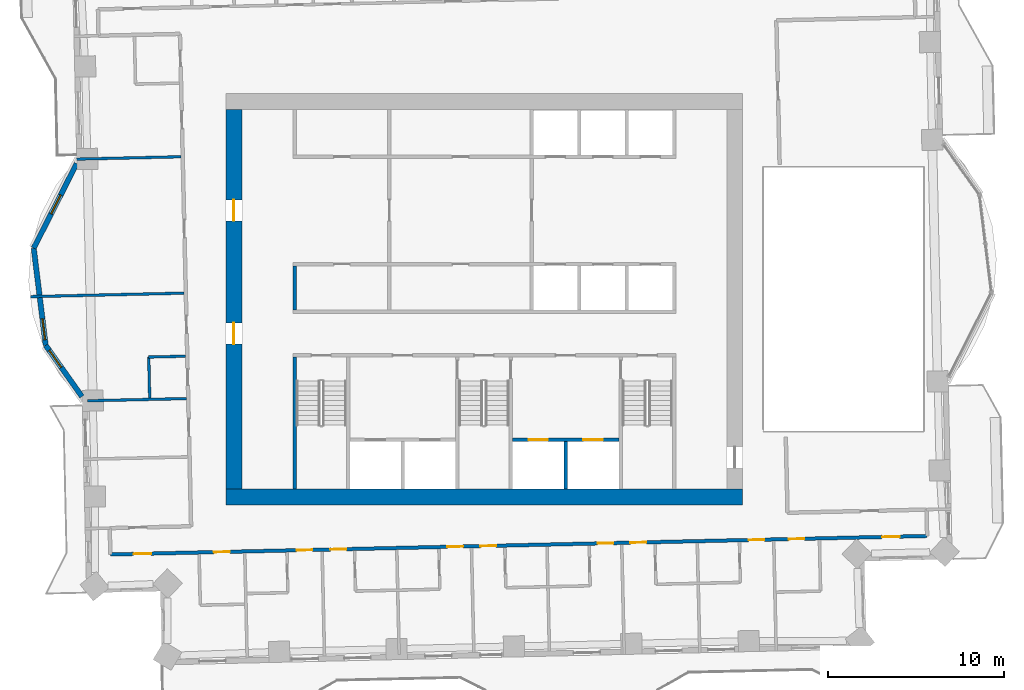
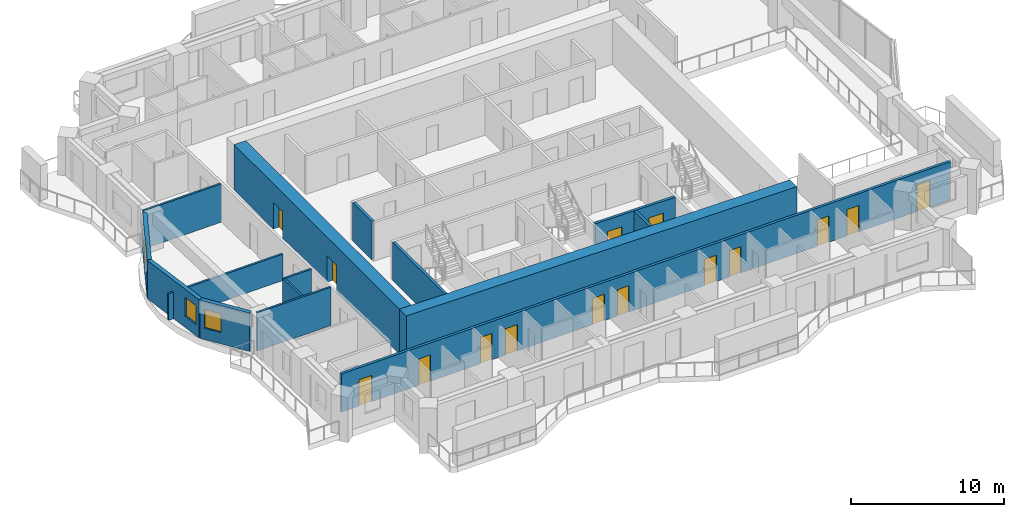
# One storey, part 7 of 16: 15 doors, 15 walls, 3 windows, 18 openings.
"""IFC4 building model written with IfcOpenShell, lengths in metres."""

from ifc_helpers import new_model, si_unit, direction, frame, frame_2d, origin, place, context, subcontext, project, spatial, rectangle, extrude, material, layer, layer_set, type_object, element, fill, save


model = new_model("IFC4")

# Units and contexts
model_context = context("Model", 3, precision=1e-05, world=origin(), true_north=direction((0.0, 1.0)))
body_context = subcontext(model_context, "Body", "Model", "MODEL_VIEW")
ifc_project = project(units=[si_unit("LENGTHUNIT", "METRE"), si_unit("AREAUNIT", "SQUARE_METRE"), si_unit("VOLUMEUNIT", "CUBIC_METRE"), si_unit("PLANEANGLEUNIT", "RADIAN"), si_unit("MASSUNIT", "GRAM", prefix="KILO")], contexts=[model_context])

# Site, building, storey
site_placement = place(None, origin())
site = spatial("IfcSite", under=ifc_project, at=site_placement, CompositionType="ELEMENT")
building_placement = place(site_placement, origin())
building = spatial("IfcBuilding", under=site, at=building_placement, Name="Mangrove Gate Tower", CompositionType="ELEMENT")
storey_placement = place(building_placement, frame((0.0, 0.0, 175.300048828125)))
storey = spatial("IfcBuildingStorey", under=building, at=storey_placement, Name="L44", CompositionType="ELEMENT", Elevation=175.300048828125)

# Wall
ifc_material_1 = material(Name="Concrete C32/40", Category="concrete")
ifc_layer_1 = layer(ifc_material_1, 0.199951171875)
ifc_layer_set_1 = layer_set([ifc_layer_1], Name="Core room wall 200 C32/40")
wall_type_1 = type_object("IfcWallType", Name="Core room wall 200 C32/40", PredefinedType="STANDARD", material=ifc_layer_set_1)
wall_1_placement = place(storey_placement, frame((-10.800048828125, -0.60009765625, 0.0), z_axis=(0.0, 0.0, 1.0), x_axis=(0.0, 1.0, 0.0)))
element("IfcWall", 1, at=wall_1_placement, inside=storey, type_object=wall_type_1, Name="WALL-L44-CORE-19", PredefinedType="STANDARD", context=body_context, shape_type="SweptSolid", body=[
    extrude(rectangle(XDim=2.5, YDim=0.199951171875, at=frame_2d((1.25, 0.0))), origin(), (0.0, 0.0, 1.0), 3.050048828125),
])

# Wall, openings, doors
ifc_material_2 = material(Name="Concrete C60/75", Category="concrete")
ifc_layer_2 = layer(ifc_material_2, 0.199951171875)
ifc_layer_set_2 = layer_set([ifc_layer_2], Name="Core shaft wall 200 C60/75")
wall_type_2 = type_object("IfcWallType", Name="Core shaft wall 200 C60/75", PredefinedType="SHEAR", material=ifc_layer_set_2)
wall_2_placement = place(storey_placement, frame((1.60009765625, -8.0, 0.0), z_axis=(0.0, 0.0, 1.0), x_axis=(1.0, 0.0, 0.0)))
wall_2 = element("IfcWall", 2, at=wall_2_placement, inside=storey, type_object=wall_type_2, Name="WALL-L44-CORE-17", PredefinedType="SHEAR", context=body_context, shape_type="SweptSolid", body=[
    extrude(rectangle(XDim=6.0498046875, YDim=0.199951171875, at=frame_2d((3.02490234375, 0.0))), origin(), (0.0, 0.0, 1.0), 3.050048828125),
])
opening_1_placement = place(wall_2_placement, frame((0.91259765625, 0.0, 0.0)))
opening_1 = element("IfcOpeningElement", 3, at=opening_1_placement, cuts=wall_2, Name="Opening LD", PredefinedType="OPENING", context=body_context, shape_type="SweptSolid", body=[
    extrude(rectangle(XDim=1.10009765625, YDim=2.10009765625, at=frame_2d((0.550048828125, 1.050048828125))), frame((0.0, 0.10986328125, 0.0), z_axis=(0.0, -1.0, 0.0), x_axis=(1.0, 0.0, 0.0)), (0.0, 0.0, 1.0), 0.219970703125),
])
opening_2_placement = place(wall_2_placement, frame((4.03759765625, 0.0, 0.0)))
opening_2 = element("IfcOpeningElement", 4, at=opening_2_placement, cuts=wall_2, Name="Opening LD", PredefinedType="OPENING", context=body_context, shape_type="SweptSolid", body=[
    extrude(rectangle(XDim=1.10009765625, YDim=2.10009765625, at=frame_2d((0.550048828125, 1.050048828125))), frame((0.0, 0.10986328125, 0.0), z_axis=(0.0, -1.0, 0.0), x_axis=(1.0, 0.0, 0.0)), (0.0, 0.0, 1.0), 0.219970703125),
])
ifc_material_3 = material(Name="Stainless steel 316", Category="steel")
door_type_1 = type_object("IfcDoorType", Name="Lift landing door 1100x2100", OperationType="SLIDING_TO_LEFT", PredefinedType="DOOR", material=ifc_material_3)
door_1_placement = place(opening_1_placement, origin())
door_1 = element("IfcDoor", 5, at=door_1_placement, inside=storey, type_object=door_type_1, Name="Landing door LD FFL1", OperationType="SLIDING_TO_LEFT", OverallHeight=2.10009765625, OverallWidth=1.10009765625, PredefinedType="DOOR", context=body_context, shape_type="SweptSolid", body=[
    extrude(rectangle(XDim=1.10009765625, YDim=2.10009765625, at=frame_2d((0.550048828125, 1.050048828125))), frame((0.0, 0.02490234375, 0.0), z_axis=(0.0, -1.0, 0.0), x_axis=(1.0, 0.0, 0.0)), (0.0, 0.0, 1.0), 0.050048828125),
])
fill(opening_1, door_1)
door_2_placement = place(opening_2_placement, origin())
door_2 = element("IfcDoor", 6, at=door_2_placement, inside=storey, type_object=door_type_1, Name="Landing door LD FFL2", OperationType="SLIDING_TO_LEFT", OverallHeight=2.10009765625, OverallWidth=1.10009765625, PredefinedType="DOOR", context=body_context, shape_type="SweptSolid", body=[
    extrude(rectangle(XDim=1.10009765625, YDim=2.10009765625, at=frame_2d((0.550048828125, 1.050048828125))), frame((0.0, 0.02490234375, 0.0), z_axis=(0.0, -1.0, 0.0), x_axis=(1.0, 0.0, 0.0)), (0.0, 0.0, 1.0), 0.050048828125),
])
fill(opening_2, door_2)

# Walls
wall_3_placement = place(storey_placement, frame((4.625, -10.800048828125, 0.0), z_axis=(0.0, 0.0, 1.0), x_axis=(0.0, 1.0, 0.0)))
element("IfcWall", 7, at=wall_3_placement, inside=storey, type_object=wall_type_2, Name="WALL-L44-CORE-18", PredefinedType="SHEAR", context=body_context, shape_type="SweptSolid", body=[
    extrude(rectangle(XDim=2.699951171875, YDim=0.199951171875, at=frame_2d((1.35009765625, 0.0))), origin(), (0.0, 0.0, 1.0), 3.050048828125),
])
ifc_material_4 = material(Name="Concrete C60/75", Category="concrete")
ifc_layer_3 = layer(ifc_material_4, 0.199951171875)
ifc_layer_set_3 = layer_set([ifc_layer_3], Name="Core stair wall 200 C60/75")
wall_type_3 = type_object("IfcWallType", Name="Core stair wall 200 C60/75", PredefinedType="SHEAR", material=ifc_layer_set_3)
wall_4_placement = place(storey_placement, frame((-10.800048828125, -10.800048828125, 0.0), z_axis=(0.0, 0.0, 1.0), x_axis=(0.0, 1.0, 0.0)))
element("IfcWall", 8, at=wall_4_placement, inside=storey, type_object=wall_type_3, Name="WALL-L44-CORE-9", PredefinedType="SHEAR", context=body_context, shape_type="SweptSolid", body=[
    extrude(rectangle(XDim=7.5, YDim=0.199951171875, at=frame_2d((3.75, 0.0))), origin(), (0.0, 0.0, 1.0), 3.050048828125),
])
ifc_material_5 = material(Name="Concrete C60/75", Category="concrete")
ifc_layer_4 = layer(ifc_material_5, 0.89990234375)
ifc_layer_set_4 = layer_set([ifc_layer_4], Name="Core wall 900 C60/75")
wall_type_4 = type_object("IfcWallType", Name="Core wall 900 C60/75", PredefinedType="SHEAR", material=ifc_layer_set_4)
wall_5_placement = place(storey_placement, frame((-14.699951171875, -11.25, 0.0), z_axis=(0.0, 0.0, 1.0), x_axis=(1.0, 0.0, 0.0)))
element("IfcWall", 9, at=wall_5_placement, inside=storey, type_object=wall_type_4, Name="WALL-L44-CORE-1", PredefinedType="SHEAR", context=body_context, shape_type="SweptSolid", body=[
    extrude(rectangle(XDim=29.39990234375, YDim=0.89990234375, at=frame_2d((14.699951171875, 0.0))), origin(), (0.0, 0.0, 1.0), 3.599853515625),
])

# Wall, openings, doors
wall_6_placement = place(storey_placement, frame((-14.25, -10.800048828125, 0.0), z_axis=(0.0, 0.0, 1.0), x_axis=(0.0, 1.0, 0.0)))
wall_6 = element("IfcWall", 10, at=wall_6_placement, inside=storey, type_object=wall_type_4, Name="WALL-L44-CORE-3", PredefinedType="SHEAR", context=body_context, shape_type="SweptSolid", body=[
    extrude(rectangle(XDim=21.60009765625, YDim=0.89990234375, at=frame_2d((10.800048828125, 0.0))), origin(), (0.0, 0.0, 1.0), 3.599853515625),
])
opening_3_placement = place(wall_6_placement, frame((8.25, 0.0, 0.0)))
opening_3 = element("IfcOpeningElement", 11, at=opening_3_placement, cuts=wall_6, Name="Opening CD", PredefinedType="OPENING", context=body_context, shape_type="SweptSolid", body=[
    extrude(rectangle(XDim=1.199951171875, YDim=2.10009765625, at=frame_2d((0.60009765625, 1.050048828125))), frame((0.0, 0.4599609375, 0.0), z_axis=(0.0, -1.0, 0.0), x_axis=(1.0, 0.0, 0.0)), (0.0, 0.0, 1.0), 0.919921875),
])
opening_4_placement = place(wall_6_placement, frame((15.25, 0.0, 0.0)))
opening_4 = element("IfcOpeningElement", 12, at=opening_4_placement, cuts=wall_6, Name="Opening CD", PredefinedType="OPENING", context=body_context, shape_type="SweptSolid", body=[
    extrude(rectangle(XDim=1.199951171875, YDim=2.10009765625, at=frame_2d((0.60009765625, 1.050048828125))), frame((0.0, 0.4599609375, 0.0), z_axis=(0.0, -1.0, 0.0), x_axis=(1.0, 0.0, 0.0)), (0.0, 0.0, 1.0), 0.919921875),
])
ifc_material_6 = material(Name="Fire-rated steel door set", Category="steel")
door_type_2 = type_object("IfcDoorType", Name="Core ring door FD60 1200x2100", OperationType="DOUBLE_DOOR_SINGLE_SWING", PredefinedType="DOOR", material=ifc_material_6)
door_3_placement = place(opening_3_placement, origin())
door_3 = element("IfcDoor", 13, at=door_3_placement, inside=storey, type_object=door_type_2, Name="Core ring door W1", OperationType="DOUBLE_DOOR_SINGLE_SWING", OverallHeight=2.10009765625, OverallWidth=1.199951171875, PredefinedType="DOOR", context=body_context, shape_type="SweptSolid", body=[
    extrude(rectangle(XDim=1.199951171875, YDim=2.10009765625, at=frame_2d((0.60009765625, 1.050048828125))), frame((0.0, 0.02490234375, 0.0), z_axis=(0.0, -1.0, 0.0), x_axis=(1.0, 0.0, 0.0)), (0.0, 0.0, 1.0), 0.050048828125),
])
fill(opening_3, door_3)
door_4_placement = place(opening_4_placement, origin())
door_4 = element("IfcDoor", 14, at=door_4_placement, inside=storey, type_object=door_type_2, Name="Core ring door W2", OperationType="DOUBLE_DOOR_SINGLE_SWING", OverallHeight=2.10009765625, OverallWidth=1.199951171875, PredefinedType="DOOR", context=body_context, shape_type="SweptSolid", body=[
    extrude(rectangle(XDim=1.199951171875, YDim=2.10009765625, at=frame_2d((0.60009765625, 1.050048828125))), frame((0.0, 0.02490234375, 0.0), z_axis=(0.0, -1.0, 0.0), x_axis=(1.0, 0.0, 0.0)), (0.0, 0.0, 1.0), 0.050048828125),
])
fill(opening_4, door_4)

ifc_material_7 = material(Name="Gypsum board on steel stud, EI 60", Category="steel")
ifc_layer_5 = layer(ifc_material_7, 0.199951171875)
ifc_layer_set_5 = layer_set([ifc_layer_5], Name="Corridor wall EI 60")
wall_type_5 = type_object("IfcWallType", Name="Corridor wall EI 60", PredefinedType="PARTITIONING", material=ifc_layer_set_5)
wall_7_placement = place(storey_placement, frame((-21.279052734375, -14.52294921875, 0.0), z_axis=(0.0, 0.0, 1.0), x_axis=(0.999742878501, 0.022675468818, 0.0)))
wall_7 = element("IfcWall", 15, at=wall_7_placement, inside=storey, type_object=wall_type_5, Name="WALL-L44-024", PredefinedType="PARTITIONING", context=body_context, shape_type="SweptSolid", body=[
    extrude(rectangle(XDim=46.47998046875, YDim=0.199951171875, at=frame_2d((23.239990234375, 0.0))), origin(), (0.0, 0.0, 1.0), 3.050048828125),
])
opening_5_placement = place(wall_7_placement, frame((1.324951171875, 0.0, 0.0)))
opening_5 = element("IfcOpeningElement", 16, at=opening_5_placement, cuts=wall_7, Name="Opening AD", PredefinedType="OPENING", context=body_context, shape_type="SweptSolid", body=[
    extrude(rectangle(XDim=1.0, YDim=2.10009765625, at=frame_2d((0.5, 1.050048828125))), frame((0.0, 0.10986328125, 0.0), z_axis=(0.0, -1.0, 0.0), x_axis=(1.0, 0.0, 0.0)), (0.0, 0.0, 1.0), 0.219970703125),
])
opening_6_placement = place(wall_7_placement, frame((5.89990234375, 0.0, 0.0)))
opening_6 = element("IfcOpeningElement", 17, at=opening_6_placement, cuts=wall_7, Name="Opening SD", PredefinedType="OPENING", context=body_context, shape_type="SweptSolid", body=[
    extrude(rectangle(XDim=0.89990234375, YDim=2.10009765625, at=frame_2d((0.449951171875, 1.050048828125))), frame((0.0, 0.10986328125, 0.0), z_axis=(0.0, -1.0, 0.0), x_axis=(1.0, 0.0, 0.0)), (0.0, 0.0, 1.0), 0.219970703125),
])
opening_7_placement = place(wall_7_placement, frame((10.60009765625, 0.0, 0.0)))
opening_7 = element("IfcOpeningElement", 18, at=opening_7_placement, cuts=wall_7, Name="Opening BD", PredefinedType="OPENING", context=body_context, shape_type="SweptSolid", body=[
    extrude(rectangle(XDim=0.89990234375, YDim=2.10009765625, at=frame_2d((0.449951171875, 1.050048828125))), frame((0.0, 0.10986328125, 0.0), z_axis=(0.0, -1.0, 0.0), x_axis=(1.0, 0.0, 0.0)), (0.0, 0.0, 1.0), 0.219970703125),
])
opening_8_placement = place(wall_7_placement, frame((12.52490234375, 0.0, 0.0)))
opening_8 = element("IfcOpeningElement", 19, at=opening_8_placement, cuts=wall_7, Name="Opening BD", PredefinedType="OPENING", context=body_context, shape_type="SweptSolid", body=[
    extrude(rectangle(XDim=0.89990234375, YDim=2.10009765625, at=frame_2d((0.449951171875, 1.050048828125))), frame((0.0, 0.10986328125, 0.0), z_axis=(0.0, -1.0, 0.0), x_axis=(1.0, 0.0, 0.0)), (0.0, 0.0, 1.0), 0.219970703125),
])
opening_9_placement = place(wall_7_placement, frame((19.175048828125, 0.0, 0.0)))
opening_9 = element("IfcOpeningElement", 20, at=opening_9_placement, cuts=wall_7, Name="Opening BD", PredefinedType="OPENING", context=body_context, shape_type="SweptSolid", body=[
    extrude(rectangle(XDim=0.89990234375, YDim=2.10009765625, at=frame_2d((0.449951171875, 1.050048828125))), frame((0.0, 0.10986328125, 0.0), z_axis=(0.0, -1.0, 0.0), x_axis=(1.0, 0.0, 0.0)), (0.0, 0.0, 1.0), 0.219970703125),
])
opening_10_placement = place(wall_7_placement, frame((21.050048828125, 0.0, 0.0)))
opening_10 = element("IfcOpeningElement", 21, at=opening_10_placement, cuts=wall_7, Name="Opening BD", PredefinedType="OPENING", context=body_context, shape_type="SweptSolid", body=[
    extrude(rectangle(XDim=0.89990234375, YDim=2.10009765625, at=frame_2d((0.449951171875, 1.050048828125))), frame((0.0, 0.10986328125, 0.0), z_axis=(0.0, -1.0, 0.0), x_axis=(1.0, 0.0, 0.0)), (0.0, 0.0, 1.0), 0.219970703125),
])
opening_11_placement = place(wall_7_placement, frame((27.72509765625, 0.0, 0.0)))
opening_11 = element("IfcOpeningElement", 22, at=opening_11_placement, cuts=wall_7, Name="Opening BD", PredefinedType="OPENING", context=body_context, shape_type="SweptSolid", body=[
    extrude(rectangle(XDim=0.89990234375, YDim=2.10009765625, at=frame_2d((0.449951171875, 1.050048828125))), frame((0.0, 0.10986328125, 0.0), z_axis=(0.0, -1.0, 0.0), x_axis=(1.0, 0.0, 0.0)), (0.0, 0.0, 1.0), 0.219970703125),
])
opening_12_placement = place(wall_7_placement, frame((29.60009765625, 0.0, 0.0)))
opening_12 = element("IfcOpeningElement", 23, at=opening_12_placement, cuts=wall_7, Name="Opening BD", PredefinedType="OPENING", context=body_context, shape_type="SweptSolid", body=[
    extrude(rectangle(XDim=0.89990234375, YDim=2.10009765625, at=frame_2d((0.449951171875, 1.050048828125))), frame((0.0, 0.10986328125, 0.0), z_axis=(0.0, -1.0, 0.0), x_axis=(1.0, 0.0, 0.0)), (0.0, 0.0, 1.0), 0.219970703125),
])
opening_13_placement = place(wall_7_placement, frame((36.324951171875, 0.0, 0.0)))
opening_13 = element("IfcOpeningElement", 24, at=opening_13_placement, cuts=wall_7, Name="Opening BD", PredefinedType="OPENING", context=body_context, shape_type="SweptSolid", body=[
    extrude(rectangle(XDim=0.89990234375, YDim=2.10009765625, at=frame_2d((0.449951171875, 1.050048828125))), frame((0.0, 0.10986328125, 0.0), z_axis=(0.0, -1.0, 0.0), x_axis=(1.0, 0.0, 0.0)), (0.0, 0.0, 1.0), 0.219970703125),
])
opening_14_placement = place(wall_7_placement, frame((43.9150390625, 0.0, 0.0)))
opening_14 = element("IfcOpeningElement", 25, at=opening_14_placement, cuts=wall_7, Name="Opening AD", PredefinedType="OPENING", context=body_context, shape_type="SweptSolid", body=[
    extrude(rectangle(XDim=1.0, YDim=2.10009765625, at=frame_2d((0.5, 1.050048828125))), frame((0.0, 0.10986328125, 0.0), z_axis=(0.0, -1.0, 0.0), x_axis=(1.0, 0.0, 0.0)), (0.0, 0.0, 1.0), 0.219970703125),
])
opening_15_placement = place(wall_7_placement, frame((38.60009765625, 0.0, 0.0)))
opening_15 = element("IfcOpeningElement", 26, at=opening_15_placement, cuts=wall_7, Name="Opening SD", PredefinedType="OPENING", context=body_context, shape_type="SweptSolid", body=[
    extrude(rectangle(XDim=0.89990234375, YDim=2.10009765625, at=frame_2d((0.449951171875, 1.050048828125))), frame((0.0, 0.10986328125, 0.0), z_axis=(0.0, -1.0, 0.0), x_axis=(1.0, 0.0, 0.0)), (0.0, 0.0, 1.0), 0.219970703125),
])
ifc_material_8 = material(Name="Timber door leaf", Category="wood")
door_type_3 = type_object("IfcDoorType", Name="Amenity door 1000", OperationType="SINGLE_SWING_LEFT", PredefinedType="DOOR", material=ifc_material_8)
door_5_placement = place(opening_5_placement, origin())
door_5 = element("IfcDoor", 27, at=door_5_placement, inside=storey, type_object=door_type_3, Name="DOOR-L44-GAM-c1a", OperationType="SINGLE_SWING_LEFT", OverallHeight=2.10009765625, OverallWidth=1.0, PredefinedType="DOOR", context=body_context, shape_type="SweptSolid", body=[
    extrude(rectangle(XDim=1.0, YDim=2.10009765625, at=frame_2d((0.5, 1.050048828125))), frame((0.0, 0.02490234375, 0.0), z_axis=(0.0, -1.0, 0.0), x_axis=(1.0, 0.0, 0.0)), (0.0, 0.0, 1.0), 0.050048828125),
])
fill(opening_5, door_5)
door_6_placement = place(opening_14_placement, origin())
door_6 = element("IfcDoor", 28, at=door_6_placement, inside=storey, type_object=door_type_3, Name="DOOR-L44-LNG-c3a", OperationType="SINGLE_SWING_RIGHT", OverallHeight=2.10009765625, OverallWidth=1.0, PredefinedType="DOOR", context=body_context, shape_type="SweptSolid", body=[
    extrude(rectangle(XDim=1.0, YDim=2.10009765625, at=frame_2d((0.5, 1.050048828125))), frame((0.0, 0.02490234375, 0.0), z_axis=(0.0, -1.0, 0.0), x_axis=(1.0, 0.0, 0.0)), (0.0, 0.0, 1.0), 0.050048828125),
])
fill(opening_14, door_6)
ifc_material_9 = material(Name="Timber door leaf", Category="wood")
door_type_4 = type_object("IfcDoorType", Name="Bedroom door 900", OperationType="SINGLE_SWING_LEFT", PredefinedType="DOOR", material=ifc_material_9)
door_7_placement = place(opening_7_placement, origin())
door_7 = element("IfcDoor", 29, at=door_7_placement, inside=storey, type_object=door_type_4, Name="DOOR-L44-BED-c101", OperationType="SINGLE_SWING_LEFT", OverallHeight=2.10009765625, OverallWidth=0.89990234375, PredefinedType="DOOR", context=body_context, shape_type="SweptSolid", body=[
    extrude(rectangle(XDim=0.89990234375, YDim=2.10009765625, at=frame_2d((0.449951171875, 1.050048828125))), frame((0.0, 0.02490234375, 0.0), z_axis=(0.0, -1.0, 0.0), x_axis=(1.0, 0.0, 0.0)), (0.0, 0.0, 1.0), 0.050048828125),
])
fill(opening_7, door_7)
door_8_placement = place(opening_8_placement, origin())
door_8 = element("IfcDoor", 30, at=door_8_placement, inside=storey, type_object=door_type_4, Name="DOOR-L44-BED-c102", OperationType="SINGLE_SWING_RIGHT", OverallHeight=2.10009765625, OverallWidth=0.89990234375, PredefinedType="DOOR", context=body_context, shape_type="SweptSolid", body=[
    extrude(rectangle(XDim=0.89990234375, YDim=2.10009765625, at=frame_2d((0.449951171875, 1.050048828125))), frame((0.0, 0.02490234375, 0.0), z_axis=(0.0, -1.0, 0.0), x_axis=(1.0, 0.0, 0.0)), (0.0, 0.0, 1.0), 0.050048828125),
])
fill(opening_8, door_8)
door_9_placement = place(opening_9_placement, origin())
door_9 = element("IfcDoor", 31, at=door_9_placement, inside=storey, type_object=door_type_4, Name="DOOR-L44-BED-c103", OperationType="SINGLE_SWING_LEFT", OverallHeight=2.10009765625, OverallWidth=0.89990234375, PredefinedType="DOOR", context=body_context, shape_type="SweptSolid", body=[
    extrude(rectangle(XDim=0.89990234375, YDim=2.10009765625, at=frame_2d((0.449951171875, 1.050048828125))), frame((0.0, 0.02490234375, 0.0), z_axis=(0.0, -1.0, 0.0), x_axis=(1.0, 0.0, 0.0)), (0.0, 0.0, 1.0), 0.050048828125),
])
fill(opening_9, door_9)
door_10_placement = place(opening_10_placement, origin())
door_10 = element("IfcDoor", 32, at=door_10_placement, inside=storey, type_object=door_type_4, Name="DOOR-L44-BED-c204", OperationType="SINGLE_SWING_RIGHT", OverallHeight=2.10009765625, OverallWidth=0.89990234375, PredefinedType="DOOR", context=body_context, shape_type="SweptSolid", body=[
    extrude(rectangle(XDim=0.89990234375, YDim=2.10009765625, at=frame_2d((0.449951171875, 1.050048828125))), frame((0.0, 0.02490234375, 0.0), z_axis=(0.0, -1.0, 0.0), x_axis=(1.0, 0.0, 0.0)), (0.0, 0.0, 1.0), 0.050048828125),
])
fill(opening_10, door_10)
door_11_placement = place(opening_11_placement, origin())
door_11 = element("IfcDoor", 33, at=door_11_placement, inside=storey, type_object=door_type_4, Name="DOOR-L44-BED-c205", OperationType="SINGLE_SWING_LEFT", OverallHeight=2.10009765625, OverallWidth=0.89990234375, PredefinedType="DOOR", context=body_context, shape_type="SweptSolid", body=[
    extrude(rectangle(XDim=0.89990234375, YDim=2.10009765625, at=frame_2d((0.449951171875, 1.050048828125))), frame((0.0, 0.02490234375, 0.0), z_axis=(0.0, -1.0, 0.0), x_axis=(1.0, 0.0, 0.0)), (0.0, 0.0, 1.0), 0.050048828125),
])
fill(opening_11, door_11)
door_12_placement = place(opening_12_placement, origin())
door_12 = element("IfcDoor", 34, at=door_12_placement, inside=storey, type_object=door_type_4, Name="DOOR-L44-BED-c206", OperationType="SINGLE_SWING_RIGHT", OverallHeight=2.10009765625, OverallWidth=0.89990234375, PredefinedType="DOOR", context=body_context, shape_type="SweptSolid", body=[
    extrude(rectangle(XDim=0.89990234375, YDim=2.10009765625, at=frame_2d((0.449951171875, 1.050048828125))), frame((0.0, 0.02490234375, 0.0), z_axis=(0.0, -1.0, 0.0), x_axis=(1.0, 0.0, 0.0)), (0.0, 0.0, 1.0), 0.050048828125),
])
fill(opening_12, door_12)
door_13_placement = place(opening_13_placement, origin())
door_13 = element("IfcDoor", 35, at=door_13_placement, inside=storey, type_object=door_type_4, Name="DOOR-L44-BED-c307", OperationType="SINGLE_SWING_LEFT", OverallHeight=2.10009765625, OverallWidth=0.89990234375, PredefinedType="DOOR", context=body_context, shape_type="SweptSolid", body=[
    extrude(rectangle(XDim=0.89990234375, YDim=2.10009765625, at=frame_2d((0.449951171875, 1.050048828125))), frame((0.0, 0.02490234375, 0.0), z_axis=(0.0, -1.0, 0.0), x_axis=(1.0, 0.0, 0.0)), (0.0, 0.0, 1.0), 0.050048828125),
])
fill(opening_13, door_13)
ifc_material_10 = material(Name="Timber door leaf", Category="wood")
door_type_5 = type_object("IfcDoorType", Name="Service room door 900", OperationType="SINGLE_SWING_LEFT", PredefinedType="DOOR", material=ifc_material_10)
door_14_placement = place(opening_6_placement, origin())
door_14 = element("IfcDoor", 36, at=door_14_placement, inside=storey, type_object=door_type_5, Name="DOOR-L44-AWC-c1a", OperationType="SINGLE_SWING_LEFT", OverallHeight=2.10009765625, OverallWidth=0.89990234375, PredefinedType="DOOR", context=body_context, shape_type="SweptSolid", body=[
    extrude(rectangle(XDim=0.89990234375, YDim=2.10009765625, at=frame_2d((0.449951171875, 1.050048828125))), frame((0.0, 0.02490234375, 0.0), z_axis=(0.0, -1.0, 0.0), x_axis=(1.0, 0.0, 0.0)), (0.0, 0.0, 1.0), 0.050048828125),
])
fill(opening_6, door_14)
door_15_placement = place(opening_15_placement, origin())
door_15 = element("IfcDoor", 37, at=door_15_placement, inside=storey, type_object=door_type_5, Name="DOOR-L44-AWC-c3a", OperationType="SINGLE_SWING_RIGHT", OverallHeight=2.10009765625, OverallWidth=0.89990234375, PredefinedType="DOOR", context=body_context, shape_type="SweptSolid", body=[
    extrude(rectangle(XDim=0.89990234375, YDim=2.10009765625, at=frame_2d((0.449951171875, 1.050048828125))), frame((0.0, 0.02490234375, 0.0), z_axis=(0.0, -1.0, 0.0), x_axis=(1.0, 0.0, 0.0)), (0.0, 0.0, 1.0), 0.050048828125),
])
fill(opening_15, door_15)

# Wall, opening, window
ifc_material_11 = material(Name="Limestone", Category="masonry")
ifc_layer_6 = layer(ifc_material_11, 0.0400390625, Name="Limestone cladding")
ifc_material_12 = material(Name="Ventilated air gap")
ifc_layer_7 = layer(ifc_material_12, 0.0400390625, Name="Ventilated cavity")
ifc_material_13 = material(Name="Mineral wool insulation")
ifc_layer_8 = layer(ifc_material_13, 0.06005859375, Name="Insulation")
ifc_material_14 = material(Name="Breather membrane")
ifc_layer_9 = layer(ifc_material_14, 0.001953125, Name="Breather membrane")
ifc_material_15 = material(Name="Concrete C20/25 blockwork", Category="masonry")
ifc_layer_10 = layer(ifc_material_15, 0.14990234375, Name="Blockwork backing wall")
ifc_material_16 = material(Name="Gypsum plaster")
ifc_layer_11 = layer(ifc_material_16, 0.008056640625, Name="Internal plaster")
ifc_layer_set_6 = layer_set([ifc_layer_6, ifc_layer_7, ifc_layer_8, ifc_layer_9, ifc_layer_10, ifc_layer_11], Name="External wall 300 limestone cladding")
wall_type_6 = type_object("IfcWallType", Name="External wall 300 limestone cladding", PredefinedType="SOLIDWALL", material=ifc_layer_set_6)
wall_8_placement = place(storey_placement, frame((-23.194091796875, 7.718994140625, 0.0), z_axis=(0.0, 0.0, 1.0), x_axis=(-0.452597193435, -0.891715078091, 0.0)))
wall_8 = element("IfcWall", 38, at=wall_8_placement, inside=storey, type_object=wall_type_6, Name="WALL-L44-W9f1", PredefinedType="SOLIDWALL", context=body_context, shape_type="SweptSolid", body=[
    extrude(rectangle(XDim=5.3974609375, YDim=0.300048828125, at=frame_2d((2.69873046875, 0.0))), origin(), (0.0, 0.0, 1.0), 3.050048828125),
])
opening_16_placement = place(wall_8_placement, frame((2.007080078125, 0.0, 0.89990234375)))
opening_16 = element("IfcOpeningElement", 39, at=opening_16_placement, cuts=wall_8, Name="Opening W1", PredefinedType="OPENING", context=body_context, shape_type="SweptSolid", body=[
    extrude(rectangle(XDim=1.199951171875, YDim=1.5, at=frame_2d((0.60009765625, 0.75))), frame((0.0, 0.159912109375, 0.0), z_axis=(0.0, -1.0, 0.0), x_axis=(1.0, 0.0, 0.0)), (0.0, 0.0, 1.0), 0.320068359375),
])
ifc_material_17 = material(Name="Aluminium frame with double-glazed low-e glass", Category="aluminium")
window_type = type_object("IfcWindowType", Name="Side lite 1200x1500", PartitioningType="SINGLE_PANEL", PredefinedType="WINDOW", material=ifc_material_17)
window_1_placement = place(opening_16_placement, origin())
window_1 = element("IfcWindow", 40, at=window_1_placement, inside=storey, type_object=window_type, Name="WIN-L44-W9f1", OverallHeight=1.5, OverallWidth=1.199951171875, PartitioningType="SINGLE_PANEL", PredefinedType="WINDOW", context=body_context, shape_type="SweptSolid", body=[
    extrude(rectangle(XDim=1.199951171875, YDim=1.5, at=frame_2d((0.60009765625, 0.75))), frame((0.0, 0.030029296875, 0.0), z_axis=(0.0, -1.0, 0.0), x_axis=(1.0, 0.0, 0.0)), (0.0, 0.0, 1.0), 0.06005859375),
])
fill(opening_16, window_1)

wall_9_placement = place(storey_placement, frame((-25.636962890625, 2.906005859375, 0.0), z_axis=(0.0, 0.0, 1.0), x_axis=(0.122163831021, -0.992509948761, 0.0)))
wall_9 = element("IfcWall", 41, at=wall_9_placement, inside=storey, type_object=wall_type_6, Name="WALL-L44-W9f2", PredefinedType="SOLIDWALL", context=body_context, shape_type="SweptSolid", body=[
    extrude(rectangle(XDim=5.57373046875, YDim=0.300048828125, at=frame_2d((2.786865234375, 0.0))), origin(), (0.0, 0.0, 1.0), 3.050048828125),
])
opening_17_placement = place(wall_9_placement, frame((4.05810546875, 0.0, 0.89990234375)))
opening_17 = element("IfcOpeningElement", 42, at=opening_17_placement, cuts=wall_9, Name="Opening W1", PredefinedType="OPENING", context=body_context, shape_type="SweptSolid", body=[
    extrude(rectangle(XDim=1.199951171875, YDim=1.5, at=frame_2d((0.60009765625, 0.75))), frame((0.0, 0.159912109375, 0.0), z_axis=(0.0, -1.0, 0.0), x_axis=(1.0, 0.0, 0.0)), (0.0, 0.0, 1.0), 0.320068359375),
])
window_2_placement = place(opening_17_placement, origin())
window_2 = element("IfcWindow", 43, at=window_2_placement, inside=storey, type_object=window_type, Name="WIN-L44-W9f2", OverallHeight=1.5, OverallWidth=1.199951171875, PartitioningType="SINGLE_PANEL", PredefinedType="WINDOW", context=body_context, shape_type="SweptSolid", body=[
    extrude(rectangle(XDim=1.199951171875, YDim=1.5, at=frame_2d((0.60009765625, 0.75))), frame((0.0, 0.030029296875, 0.0), z_axis=(0.0, -1.0, 0.0), x_axis=(1.0, 0.0, 0.0)), (0.0, 0.0, 1.0), 0.06005859375),
])
fill(opening_17, window_2)

wall_10_placement = place(storey_placement, frame((-24.9560546875, -2.6259765625, 0.0), z_axis=(0.0, 0.0, 1.0), x_axis=(0.578009745555, -0.816029861, 0.0)))
wall_10 = element("IfcWall", 44, at=wall_10_placement, inside=storey, type_object=wall_type_6, Name="WALL-L44-W9f3", PredefinedType="SOLIDWALL", context=body_context, shape_type="SweptSolid", body=[
    extrude(rectangle(XDim=3.5673828125, YDim=0.300048828125, at=frame_2d((1.78369140625, 0.0))), origin(), (0.0, 0.0, 1.0), 3.050048828125),
])
opening_18_placement = place(wall_10_placement, frame((0.337890625, 0.0, 0.89990234375)))
opening_18 = element("IfcOpeningElement", 45, at=opening_18_placement, cuts=wall_10, Name="Opening W1", PredefinedType="OPENING", context=body_context, shape_type="SweptSolid", body=[
    extrude(rectangle(XDim=1.199951171875, YDim=1.5, at=frame_2d((0.60009765625, 0.75))), frame((0.0, 0.159912109375, 0.0), z_axis=(0.0, -1.0, 0.0), x_axis=(1.0, 0.0, 0.0)), (0.0, 0.0, 1.0), 0.320068359375),
])
window_3_placement = place(opening_18_placement, origin())
window_3 = element("IfcWindow", 46, at=window_3_placement, inside=storey, type_object=window_type, Name="WIN-L44-W9f3", OverallHeight=1.5, OverallWidth=1.199951171875, PartitioningType="SINGLE_PANEL", PredefinedType="WINDOW", context=body_context, shape_type="SweptSolid", body=[
    extrude(rectangle(XDim=1.199951171875, YDim=1.5, at=frame_2d((0.60009765625, 0.75))), frame((0.0, 0.030029296875, 0.0), z_axis=(0.0, -1.0, 0.0), x_axis=(1.0, 0.0, 0.0)), (0.0, 0.0, 1.0), 0.06005859375),
])
fill(opening_18, window_3)

# Walls
ifc_material_18 = material(Name="Gypsum board on steel stud, EI 60", Category="steel")
ifc_layer_12 = layer(ifc_material_18, 0.14990234375)
ifc_layer_set_7 = layer_set([ifc_layer_12], Name="Party wall 150 EI 60")
wall_type_7 = type_object("IfcWallType", Name="Party wall 150 EI 60", PredefinedType="PARTITIONING", material=ifc_layer_set_7)
wall_11_placement = place(storey_placement, frame((-22.577880859375, -5.780029296875, 0.0), z_axis=(0.0, 0.0, 1.0), x_axis=(0.999746200787, 0.022528515532, 0.0)))
element("IfcWall", 47, at=wall_11_placement, inside=storey, type_object=wall_type_7, Name="WALL-L44-034", PredefinedType="PARTITIONING", context=body_context, shape_type="SweptSolid", body=[
    extrude(rectangle(XDim=5.63525390625, YDim=0.14990234375, at=frame_2d((2.817626953125, 0.0))), origin(), (0.0, 0.0, 1.0), 3.050048828125),
])
wall_12_placement = place(storey_placement, frame((-19.0400390625, -5.6201171875, 0.0), z_axis=(0.0, 0.0, 1.0), x_axis=(-0.022788198363, 0.99974031529, 0.0)))
element("IfcWall", 48, at=wall_12_placement, inside=storey, type_object=wall_type_7, Name="WALL-L44-035", PredefinedType="PARTITIONING", context=body_context, shape_type="SweptSolid", body=[
    extrude(rectangle(XDim=2.32470703125, YDim=0.14990234375, at=frame_2d((1.162353515625, 0.0))), origin(), (0.0, 0.0, 1.0), 3.050048828125),
])
wall_13_placement = place(storey_placement, frame((-19.097900390625, -3.291015625, 0.0), z_axis=(0.0, 0.0, 1.0), x_axis=(0.999737555419, 0.022908956429, 0.0)))
element("IfcWall", 49, at=wall_13_placement, inside=storey, type_object=wall_type_7, Name="WALL-L44-036", PredefinedType="PARTITIONING", context=body_context, shape_type="SweptSolid", body=[
    extrude(rectangle(XDim=2.099365234375, YDim=0.14990234375, at=frame_2d((1.0498046875, 0.0))), origin(), (0.0, 0.0, 1.0), 3.050048828125),
])
wall_14_placement = place(storey_placement, frame((-25.824951171875, 0.14697265625, 0.0), z_axis=(0.0, 0.0, 1.0), x_axis=(0.999741244423, 0.022747399821, 0.0)))
element("IfcWall", 50, at=wall_14_placement, inside=storey, type_object=wall_type_7, Name="WALL-L44-037", PredefinedType="PARTITIONING", context=body_context, shape_type="SweptSolid", body=[
    extrude(rectangle(XDim=8.7470703125, YDim=0.14990234375, at=frame_2d((4.37353515625, 0.0))), origin(), (0.0, 0.0, 1.0), 2.099853515625),
])
wall_15_placement = place(storey_placement, frame((-23.18994140625, 7.968994140625, 0.0), z_axis=(0.0, 0.0, 1.0), x_axis=(0.999741261868, 0.022746633113, 0.0)))
element("IfcWall", 51, at=wall_15_placement, inside=storey, type_object=wall_type_7, Name="WALL-L44-039", PredefinedType="PARTITIONING", context=body_context, shape_type="SweptSolid", body=[
    extrude(rectangle(XDim=5.935302734375, YDim=0.14990234375, at=frame_2d((2.9677734375, 0.0))), origin(), (0.0, 0.0, 1.0), 3.050048828125),
])

save(model, "model.ifc")
